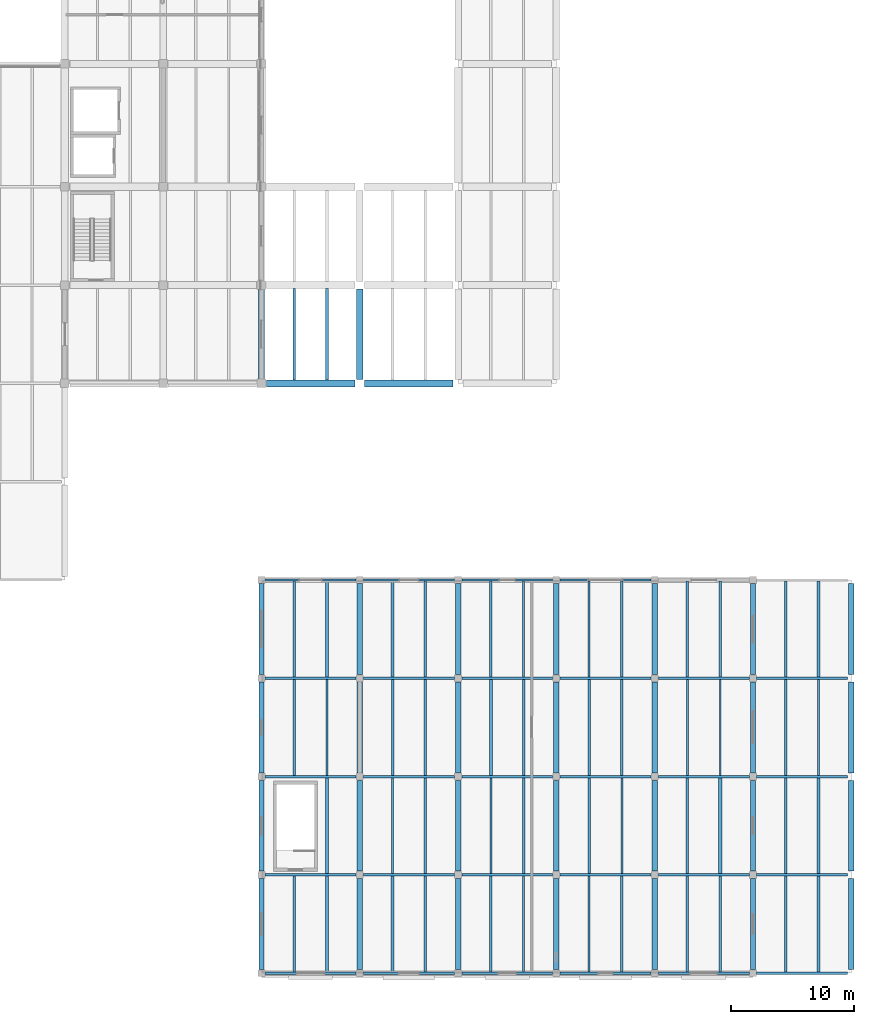
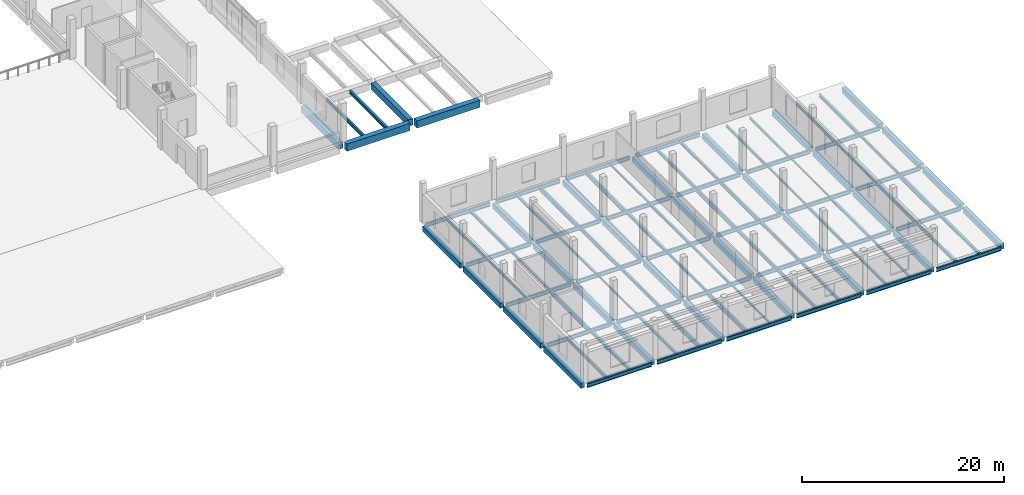
# One storey, part 18 of 52: 109 beams.
"""IFC4 building model written with IfcOpenShell, lengths in metres."""

from ifc_helpers import new_model, si_unit, direction, frame, origin, origin_2d, place, context, subcontext, project, spatial, rectangle, i_section, extrude, material, material_profile, profile_set, type_object, element, save


model = new_model("IFC4")

# Units and contexts
model_context = context("Model", 3, precision=1e-05, world=origin(), true_north=direction((0.0, 1.0)))
body_context = subcontext(model_context, "Body", "Model", "MODEL_VIEW")
ifc_project = project(units=[si_unit("LENGTHUNIT", "METRE"), si_unit("AREAUNIT", "SQUARE_METRE"), si_unit("VOLUMEUNIT", "CUBIC_METRE"), si_unit("PLANEANGLEUNIT", "RADIAN"), si_unit("MASSUNIT", "GRAM", prefix="KILO")], contexts=[model_context])

# Site, building, storey
site_placement = place(None, origin())
site = spatial("IfcSite", under=ifc_project, at=site_placement, CompositionType="ELEMENT")
building_placement = place(site_placement, origin())
building = spatial("IfcBuilding", under=site, at=building_placement, Name="Pecanmere Concourse Central Library", CompositionType="ELEMENT")
storey_placement = place(building_placement, frame((0.0, 0.0, 10.5)))
storey = spatial("IfcBuildingStorey", under=building, at=storey_placement, Name="L03", CompositionType="ELEMENT", Elevation=10.5)

# Beams
ifc_material_1 = material(Name="Concrete C40/50", Category="concrete")
ifc_material_profile_1 = material_profile(ifc_material_1, rectangle(XDim=0.43994140625, YDim=0.6201171875, at=origin_2d()), Name="RC 440x620")
ifc_profile_set_1 = profile_set([ifc_material_profile_1], Name="Concrete C40/50")
beam_type_1 = type_object("IfcBeamType", Name="GRD_440x620", PredefinedType="USERDEFINED", material=ifc_profile_set_1)
for number, where, z_axis, x_axis, name in (
    (1, (128.0, 0.300048828125, -0.64990234375), (0.0, 1.0, 0.0), (-1.0, 0.0, 0.0), "Primary Girder Y L03-1782"),
    (2, (128.0, 8.300048828125, -0.64990234375), (0.0, 1.0, 0.0), (-1.0, 0.0, 0.0), "Primary Girder Y L03-1783"),
    (3, (128.0, 16.300048828125, -0.64990234375), (0.0, 1.0, 0.0), (-1.0, 0.0, 0.0), "Primary Girder Y L03-1784"),
    (4, (128.0, 24.300048828125, -0.64990234375), (0.0, 1.0, 0.0), (-1.0, 0.0, 0.0), "Primary Girder Y L03-1785"),
    (5, (136.0, 0.300048828125, -0.64990234375), (0.0, 1.0, 0.0), (-1.0, 0.0, 0.0), "Primary Girder Y L03-1793"),
    (6, (136.0, 8.300048828125, -0.64990234375), (0.0, 1.0, 0.0), (-1.0, 0.0, 0.0), "Primary Girder Y L03-1794"),
    (7, (136.0, 16.300048828125, -0.64990234375), (0.0, 1.0, 0.0), (-1.0, 0.0, 0.0), "Primary Girder Y L03-1795"),
    (8, (136.0, 24.300048828125, -0.64990234375), (0.0, 1.0, 0.0), (-1.0, 0.0, 0.0), "Primary Girder Y L03-1796"),
    (9, (144.0, 0.300048828125, -0.64990234375), (0.0, 1.0, 0.0), (-1.0, 0.0, 0.0), "Primary Girder Y L03-1801"),
    (10, (144.0, 8.300048828125, -0.64990234375), (0.0, 1.0, 0.0), (-1.0, 0.0, 0.0), "Primary Girder Y L03-1802"),
    (11, (144.0, 16.300048828125, -0.64990234375), (0.0, 1.0, 0.0), (-1.0, 0.0, 0.0), "Primary Girder Y L03-1803"),
    (12, (144.0, 24.300048828125, -0.64990234375), (0.0, 1.0, 0.0), (-1.0, 0.0, 0.0), "Primary Girder Y L03-1804"),
    (13, (152.0, 0.300048828125, -0.64990234375), (0.0, 1.0, 0.0), (-1.0, 0.0, 0.0), "Primary Girder Y L03-1812"),
    (14, (152.0, 8.300048828125, -0.64990234375), (0.0, 1.0, 0.0), (-1.0, 0.0, 0.0), "Primary Girder Y L03-1813"),
    (15, (152.0, 16.300048828125, -0.64990234375), (0.0, 1.0, 0.0), (-1.0, 0.0, 0.0), "Primary Girder Y L03-1814"),
    (16, (152.0, 24.300048828125, -0.64990234375), (0.0, 1.0, 0.0), (-1.0, 0.0, 0.0), "Primary Girder Y L03-1815"),
    (17, (160.0, 0.300048828125, -0.64990234375), (0.0, 1.0, 0.0), (-1.0, 0.0, 0.0), "Primary Girder Y L03-1823"),
    (18, (160.0, 8.300048828125, -0.64990234375), (0.0, 1.0, 0.0), (-1.0, 0.0, 0.0), "Primary Girder Y L03-1824"),
    (19, (160.0, 16.300048828125, -0.64990234375), (0.0, 1.0, 0.0), (-1.0, 0.0, 0.0), "Primary Girder Y L03-1825"),
    (20, (160.0, 24.300048828125, -0.64990234375), (0.0, 1.0, 0.0), (-1.0, 0.0, 0.0), "Primary Girder Y L03-1826"),
    (21, (168.0, 0.300048828125, -0.64990234375), (0.0, 1.0, 0.0), (-1.0, 0.0, 0.0), "Primary Girder Y L03-1827"),
    (22, (168.0, 8.300048828125, -0.64990234375), (0.0, 1.0, 0.0), (-1.0, 0.0, 0.0), "Primary Girder Y L03-1828"),
    (23, (168.0, 16.300048828125, -0.64990234375), (0.0, 1.0, 0.0), (-1.0, 0.0, 0.0), "Primary Girder Y L03-1829"),
    (24, (168.0, 24.300048828125, -0.64990234375), (0.0, 1.0, 0.0), (-1.0, 0.0, 0.0), "Primary Girder Y L03-1830"),
    (25, (176.0, 0.300048828125, -0.64990234375), (0.0, 1.0, 0.0), (-1.0, 0.0, 0.0), "Primary Girder Y L03-1831"),
    (26, (176.0, 8.300048828125, -0.64990234375), (0.0, 1.0, 0.0), (-1.0, 0.0, 0.0), "Primary Girder Y L03-1832"),
    (27, (176.0, 16.300048828125, -0.64990234375), (0.0, 1.0, 0.0), (-1.0, 0.0, 0.0), "Primary Girder Y L03-1833"),
    (28, (176.0, 24.300048828125, -0.64990234375), (0.0, 1.0, 0.0), (-1.0, 0.0, 0.0), "Primary Girder Y L03-1834"),
):
    element("IfcBeam", number, at=place(storey_placement, frame(where, z_axis=z_axis, x_axis=x_axis)), inside=storey, type_object=beam_type_1, Name=name, ObjectType="GIRDER", PredefinedType="USERDEFINED", context=body_context, shape_type="SweptSolid", body=[
        extrude(rectangle(XDim=0.43994140625, YDim=0.6201171875, at=origin_2d()), origin(), (0.0, 0.0, 1.0), 7.39990234375),
    ])
ifc_material_2 = material(Name="Concrete C40/50", Category="concrete")
ifc_material_profile_2 = material_profile(ifc_material_2, rectangle(XDim=0.52001953125, YDim=0.77001953125, at=origin_2d()), Name="RC 520x770")
ifc_profile_set_2 = profile_set([ifc_material_profile_2], Name="Concrete C40/50")
beam_type_2 = type_object("IfcBeamType", Name="GRD_520x770", PredefinedType="USERDEFINED", material=ifc_profile_set_2)
for number, where, z_axis, x_axis, name in (
    (29, (128.0, 48.300048828125, -0.72509765625), (0.0, 1.0, 0.0), (-1.0, 0.0, 0.0), "Primary Girder Y L03-1786"),
    (30, (136.0, 48.300048828125, -0.72509765625), (0.0, 1.0, 0.0), (-1.0, 0.0, 0.0), "Primary Girder Y L03-1797"),
):
    element("IfcBeam", number, at=place(storey_placement, frame(where, z_axis=z_axis, x_axis=x_axis)), inside=storey, type_object=beam_type_2, Name=name, ObjectType="GIRDER", PredefinedType="USERDEFINED", context=body_context, shape_type="SweptSolid", body=[
        extrude(rectangle(XDim=0.52001953125, YDim=0.77001953125, at=origin_2d()), origin(), (0.0, 0.0, 1.0), 7.39990234375),
    ])
ifc_material_3 = material(Name="Concrete C40/50", Category="concrete")
ifc_material_profile_3 = material_profile(ifc_material_3, rectangle(XDim=0.580078125, YDim=0.860107421875, at=origin_2d()), Name="RC 580x860")
ifc_profile_set_3 = profile_set([ifc_material_profile_3], Name="Concrete C40/50")
beam_type_3 = type_object("IfcBeamType", Name="GRD_580x860", PredefinedType="USERDEFINED", material=ifc_profile_set_3)
for number, where, z_axis, x_axis, name in (
    (31, (128.39990234375, 48.0, -0.77001953125), (1.0, 0.0, 0.0), (0.0, 1.0, 0.0), "Primary Girder X L03-1553"),
    (32, (136.39990234375, 48.0, -0.77001953125), (1.0, 0.0, 0.0), (0.0, 1.0, 0.0), "Primary Girder X L03-1554"),
):
    element("IfcBeam", number, at=place(storey_placement, frame(where, z_axis=z_axis, x_axis=x_axis)), inside=storey, type_object=beam_type_3, Name=name, ObjectType="GIRDER", PredefinedType="USERDEFINED", context=body_context, shape_type="SweptSolid", body=[
        extrude(rectangle(XDim=0.580078125, YDim=0.860107421875, at=origin_2d()), origin(), (0.0, 0.0, 1.0), 7.2001953125),
    ])
ifc_material_4 = material(Name="Structural steel ASTM A992 Grade 50", Category="steel")
ifc_material_profile_4 = material_profile(ifc_material_4, i_section(OverallWidth=0.152099609375, OverallDepth=0.152099609375, WebThickness=0.005859375, FlangeThickness=0.006591796875, at=origin_2d()), Name="W150x22.5")
ifc_profile_set_4 = profile_set([ifc_material_profile_4], Name="Structural steel ASTM A992 Grade 50")
beam_type_4 = type_object("IfcBeamType", Name="SBM_W150x22", PredefinedType="LINTEL", material=ifc_profile_set_4)
for number, where, z_axis, x_axis, name in (
    (33, (138.666748046875, 8.096923828125, -0.416015625), (0.0, 1.0, 0.0), (-1.0, 0.0, 0.0), "Secondary Floor Joist L03-2047"),
    (34, (165.333251953125, 16.096923828125, -0.416015625), (0.0, 1.0, 0.0), (-1.0, 0.0, 0.0), "Secondary Floor Joist L03-2096"),
):
    element("IfcBeam", number, at=place(storey_placement, frame(where, z_axis=z_axis, x_axis=x_axis)), inside=storey, type_object=beam_type_4, Name=name, PredefinedType="LINTEL", context=body_context, shape_type="SweptSolid", body=[
        extrude(i_section(OverallWidth=0.152099609375, OverallDepth=0.152099609375, WebThickness=0.005859375, FlangeThickness=0.006591796875, at=origin_2d()), origin(), (0.0, 0.0, 1.0), 7.80615234375),
    ])
ifc_material_5 = material(Name="Structural steel ASTM A992 Grade 50", Category="steel")
ifc_material_profile_5 = material_profile(ifc_material_5, i_section(OverallWidth=0.1650390625, OverallDepth=0.200927734375, WebThickness=0.006103515625, FlangeThickness=0.01025390625, at=origin_2d()), Name="W200x35.9")
ifc_profile_set_5 = profile_set([ifc_material_profile_5], Name="Structural steel ASTM A992 Grade 50")
beam_type_5 = type_object("IfcBeamType", Name="SBM_W200x36", PredefinedType="LINTEL", material=ifc_profile_set_5)
for number, where, z_axis, x_axis, name in (
    (35, (149.333251953125, 0.096923828125, -0.4404296875), (0.0, 1.0, 0.0), (-1.0, 0.0, 0.0), "Secondary Floor Joist L03-2062"),
    (36, (149.333251953125, 24.096923828125, -0.4404296875), (0.0, 1.0, 0.0), (-1.0, 0.0, 0.0), "Secondary Floor Joist L03-2068"),
    (37, (162.666748046875, 16.096923828125, -0.4404296875), (0.0, 1.0, 0.0), (-1.0, 0.0, 0.0), "Secondary Floor Joist L03-2095"),
):
    element("IfcBeam", number, at=place(storey_placement, frame(where, z_axis=z_axis, x_axis=x_axis)), inside=storey, type_object=beam_type_5, Name=name, PredefinedType="LINTEL", context=body_context, shape_type="SweptSolid", body=[
        extrude(i_section(OverallWidth=0.1650390625, OverallDepth=0.200927734375, WebThickness=0.006103515625, FlangeThickness=0.01025390625, at=origin_2d()), origin(), (0.0, 0.0, 1.0), 7.80615234375),
    ])
ifc_material_6 = material(Name="Structural steel ASTM A992 Grade 50", Category="steel")
ifc_material_profile_6 = material_profile(ifc_material_6, i_section(OverallWidth=0.2041015625, OverallDepth=0.2060546875, WebThickness=0.0078125, FlangeThickness=0.0126953125, at=origin_2d()), Name="W200x52")
ifc_profile_set_6 = profile_set([ifc_material_profile_6], Name="Structural steel ASTM A992 Grade 50")
beam_type_6 = type_object("IfcBeamType", Name="SBM_W200x52", PredefinedType="JOIST", material=ifc_profile_set_6)
for number, where, z_axis, x_axis, name in (
    (38, (138.666748046875, 16.096923828125, -0.443115234375), (0.0, 1.0, 0.0), (-1.0, 0.0, 0.0), "Secondary Floor Joist L03-2049"),
    (39, (165.333251953125, 0.096923828125, -0.443115234375), (0.0, 1.0, 0.0), (-1.0, 0.0, 0.0), "Secondary Floor Joist L03-2092"),
    (40, (165.333251953125, 24.096923828125, -0.443115234375), (0.0, 1.0, 0.0), (-1.0, 0.0, 0.0), "Secondary Floor Joist L03-2098"),
):
    element("IfcBeam", number, at=place(storey_placement, frame(where, z_axis=z_axis, x_axis=x_axis)), inside=storey, type_object=beam_type_6, Name=name, PredefinedType="JOIST", context=body_context, shape_type="SweptSolid", body=[
        extrude(i_section(OverallWidth=0.2041015625, OverallDepth=0.2060546875, WebThickness=0.0078125, FlangeThickness=0.0126953125, at=origin_2d()), origin(), (0.0, 0.0, 1.0), 7.80615234375),
    ])
ifc_material_7 = material(Name="Structural steel ASTM A992 Grade 50", Category="steel")
ifc_material_profile_7 = material_profile(ifc_material_7, i_section(OverallWidth=0.201904296875, OverallDepth=0.2470703125, WebThickness=0.00732421875, FlangeThickness=0.010986328125, at=origin_2d()), Name="W250x49.1")
ifc_profile_set_7 = profile_set([ifc_material_profile_7], Name="Structural steel ASTM A992 Grade 50")
beam_type_7 = type_object("IfcBeamType", Name="SBM_W250x49", PredefinedType="JOIST", material=ifc_profile_set_7)
for number, where, z_axis, x_axis, name in (
    (41, (149.333251953125, 8.096923828125, -0.46337890625), (0.0, 1.0, 0.0), (-1.0, 0.0, 0.0), "Secondary Floor Joist L03-2064"),
    (42, (162.666748046875, 0.096923828125, -0.46337890625), (0.0, 1.0, 0.0), (-1.0, 0.0, 0.0), "Secondary Floor Joist L03-2091"),
    (43, (162.666748046875, 24.096923828125, -0.46337890625), (0.0, 1.0, 0.0), (-1.0, 0.0, 0.0), "Secondary Floor Joist L03-2097"),
):
    element("IfcBeam", number, at=place(storey_placement, frame(where, z_axis=z_axis, x_axis=x_axis)), inside=storey, type_object=beam_type_7, Name=name, PredefinedType="JOIST", context=body_context, shape_type="SweptSolid", body=[
        extrude(i_section(OverallWidth=0.201904296875, OverallDepth=0.2470703125, WebThickness=0.00732421875, FlangeThickness=0.010986328125, at=origin_2d()), origin(), (0.0, 0.0, 1.0), 7.80615234375),
    ])
ifc_material_8 = material(Name="Structural steel ASTM A992 Grade 50", Category="steel")
ifc_material_profile_8 = material_profile(ifc_material_8, i_section(OverallWidth=0.25390625, OverallDepth=0.2529296875, WebThickness=0.008544921875, FlangeThickness=0.01416015625, at=origin_2d()), Name="W250x73")
ifc_profile_set_8 = profile_set([ifc_material_profile_8], Name="Structural steel ASTM A992 Grade 50")
beam_type_8 = type_object("IfcBeamType", Name="SBM_W250x73", PredefinedType="BEAM", material=ifc_profile_set_8)
for number, where, z_axis, x_axis, name in (
    (44, (138.666748046875, 0.096923828125, -0.466552734375), (0.0, 1.0, 0.0), (-1.0, 0.0, 0.0), "Secondary Floor Joist L03-2045"),
    (45, (138.666748046875, 24.096923828125, -0.466552734375), (0.0, 1.0, 0.0), (-1.0, 0.0, 0.0), "Secondary Floor Joist L03-2051"),
    (46, (165.333251953125, 8.096923828125, -0.466552734375), (0.0, 1.0, 0.0), (-1.0, 0.0, 0.0), "Secondary Floor Joist L03-2094"),
):
    element("IfcBeam", number, at=place(storey_placement, frame(where, z_axis=z_axis, x_axis=x_axis)), inside=storey, type_object=beam_type_8, Name=name, PredefinedType="BEAM", context=body_context, shape_type="SweptSolid", body=[
        extrude(i_section(OverallWidth=0.25390625, OverallDepth=0.2529296875, WebThickness=0.008544921875, FlangeThickness=0.01416015625, at=origin_2d()), origin(), (0.0, 0.0, 1.0), 7.80615234375),
    ])
ifc_material_9 = material(Name="Structural steel ASTM A992 Grade 50", Category="steel")
ifc_material_profile_9 = material_profile(ifc_material_9, i_section(OverallWidth=0.1669921875, OverallDepth=0.31689453125, WebThickness=0.007568359375, FlangeThickness=0.01318359375, at=origin_2d()), Name="W310x52")
ifc_profile_set_9 = profile_set([ifc_material_profile_9], Name="Structural steel ASTM A992 Grade 50")
beam_type_9 = type_object("IfcBeamType", Name="SBM_W310x52", PredefinedType="JOIST", material=ifc_profile_set_9)
for number, where, z_axis, x_axis, name in (
    (47, (133.333251953125, 16.096923828125, -0.49853515625), (0.0, 1.0, 0.0), (-1.0, 0.0, 0.0), "Secondary Floor Joist L03-2034"),
    (48, (146.666748046875, 8.096923828125, -0.49853515625), (0.0, 1.0, 0.0), (-1.0, 0.0, 0.0), "Secondary Floor Joist L03-2063"),
    (49, (173.333251953125, 16.096923828125, -0.49853515625), (0.0, 1.0, 0.0), (-1.0, 0.0, 0.0), "Secondary Floor Joist L03-2104"),
):
    element("IfcBeam", number, at=place(storey_placement, frame(where, z_axis=z_axis, x_axis=x_axis)), inside=storey, type_object=beam_type_9, Name=name, PredefinedType="JOIST", context=body_context, shape_type="SweptSolid", body=[
        extrude(i_section(OverallWidth=0.1669921875, OverallDepth=0.31689453125, WebThickness=0.007568359375, FlangeThickness=0.01318359375, at=origin_2d()), origin(), (0.0, 0.0, 1.0), 7.80615234375),
    ])
ifc_material_10 = material(Name="Structural steel ASTM A992 Grade 50", Category="steel")
ifc_material_profile_10 = material_profile(ifc_material_10, i_section(OverallWidth=0.205078125, OverallDepth=0.31005859375, WebThickness=0.009521484375, FlangeThickness=0.016357421875, at=origin_2d()), Name="W310x74")
ifc_profile_set_10 = profile_set([ifc_material_profile_10], Name="Structural steel ASTM A992 Grade 50")
beam_type_10 = type_object("IfcBeamType", Name="SBM_W310x74", PredefinedType="BEAM", material=ifc_profile_set_10)
for number, where, z_axis, x_axis, name in (
    (50, (149.333251953125, 16.096923828125, -0.4951171875), (0.0, 1.0, 0.0), (-1.0, 0.0, 0.0), "Secondary Floor Joist L03-2066"),
    (51, (162.666748046875, 8.096923828125, -0.4951171875), (0.0, 1.0, 0.0), (-1.0, 0.0, 0.0), "Secondary Floor Joist L03-2093"),
):
    element("IfcBeam", number, at=place(storey_placement, frame(where, z_axis=z_axis, x_axis=x_axis)), inside=storey, type_object=beam_type_10, Name=name, PredefinedType="BEAM", context=body_context, shape_type="SweptSolid", body=[
        extrude(i_section(OverallWidth=0.205078125, OverallDepth=0.31005859375, WebThickness=0.009521484375, FlangeThickness=0.016357421875, at=origin_2d()), origin(), (0.0, 0.0, 1.0), 7.80615234375),
    ])
ifc_material_11 = material(Name="Structural steel ASTM A992 Grade 50", Category="steel")
ifc_material_profile_11 = material_profile(ifc_material_11, i_section(OverallWidth=0.202880859375, OverallDepth=0.346923828125, WebThickness=0.0078125, FlangeThickness=0.013427734375, at=origin_2d()), Name="W360x64")
ifc_profile_set_11 = profile_set([ifc_material_profile_11], Name="Structural steel ASTM A992 Grade 50")
beam_type_11 = type_object("IfcBeamType", Name="SBM_W360x64", PredefinedType="JOIST", material=ifc_profile_set_11)
for number, where, z_axis, x_axis, name in (
    (52, (130.666748046875, 16.096923828125, -0.513427734375), (0.0, 1.0, 0.0), (-1.0, 0.0, 0.0), "Secondary Floor Joist L03-2033"),
    (53, (157.333251953125, 0.096923828125, -0.513427734375), (0.0, 1.0, 0.0), (-1.0, 0.0, 0.0), "Secondary Floor Joist L03-2084"),
    (54, (157.333251953125, 24.096923828125, -0.513427734375), (0.0, 1.0, 0.0), (-1.0, 0.0, 0.0), "Secondary Floor Joist L03-2090"),
    (55, (170.666748046875, 16.096923828125, -0.513427734375), (0.0, 1.0, 0.0), (-1.0, 0.0, 0.0), "Secondary Floor Joist L03-2103"),
):
    element("IfcBeam", number, at=place(storey_placement, frame(where, z_axis=z_axis, x_axis=x_axis)), inside=storey, type_object=beam_type_11, Name=name, PredefinedType="JOIST", context=body_context, shape_type="SweptSolid", body=[
        extrude(i_section(OverallWidth=0.202880859375, OverallDepth=0.346923828125, WebThickness=0.0078125, FlangeThickness=0.013427734375, at=origin_2d()), origin(), (0.0, 0.0, 1.0), 7.80615234375),
    ])
ifc_material_12 = material(Name="Structural steel ASTM A992 Grade 50", Category="steel")
ifc_material_profile_12 = material_profile(ifc_material_12, i_section(OverallWidth=0.25390625, OverallDepth=0.35302734375, WebThickness=0.009521484375, FlangeThickness=0.016357421875, at=origin_2d()), Name="W360x91")
ifc_profile_set_12 = profile_set([ifc_material_profile_12], Name="Structural steel ASTM A992 Grade 50")
beam_type_12 = type_object("IfcBeamType", Name="SBM_W360x91", PredefinedType="BEAM", material=ifc_profile_set_12)
for number, where, z_axis, x_axis, name in (
    (56, (133.333251953125, 0.096923828125, -0.5166015625), (0.0, 1.0, 0.0), (-1.0, 0.0, 0.0), "Secondary Floor Joist L03-2031"),
    (57, (133.333251953125, 24.096923828125, -0.5166015625), (0.0, 1.0, 0.0), (-1.0, 0.0, 0.0), "Secondary Floor Joist L03-2036"),
):
    element("IfcBeam", number, at=place(storey_placement, frame(where, z_axis=z_axis, x_axis=x_axis)), inside=storey, type_object=beam_type_12, Name=name, PredefinedType="BEAM", context=body_context, shape_type="SweptSolid", body=[
        extrude(i_section(OverallWidth=0.25390625, OverallDepth=0.35302734375, WebThickness=0.009521484375, FlangeThickness=0.016357421875, at=origin_2d()), origin(), (0.0, 0.0, 1.0), 7.80615234375),
    ])
beam_1_placement = place(storey_placement, frame((133.333251953125, 48.2900390625, -0.5166015625), z_axis=(0.0, 1.0, 0.0), x_axis=(-1.0, 0.0, 0.0)))
element("IfcBeam", 58, at=beam_1_placement, inside=storey, type_object=beam_type_12, Name="Secondary Floor Joist L03-2038", PredefinedType="BEAM", context=body_context, shape_type="SweptSolid", body=[
    extrude(i_section(OverallWidth=0.25390625, OverallDepth=0.35302734375, WebThickness=0.009521484375, FlangeThickness=0.016357421875, at=origin_2d()), origin(), (0.0, 0.0, 1.0), 7.419921875),
])
for number, where, z_axis, x_axis, name in (
    (59, (146.666748046875, 16.096923828125, -0.5166015625), (0.0, 1.0, 0.0), (-1.0, 0.0, 0.0), "Secondary Floor Joist L03-2065"),
    (60, (173.333251953125, 0.096923828125, -0.5166015625), (0.0, 1.0, 0.0), (-1.0, 0.0, 0.0), "Secondary Floor Joist L03-2100"),
    (61, (173.333251953125, 24.096923828125, -0.5166015625), (0.0, 1.0, 0.0), (-1.0, 0.0, 0.0), "Secondary Floor Joist L03-2106"),
):
    element("IfcBeam", number, at=place(storey_placement, frame(where, z_axis=z_axis, x_axis=x_axis)), inside=storey, type_object=beam_type_12, Name=name, PredefinedType="BEAM", context=body_context, shape_type="SweptSolid", body=[
        extrude(i_section(OverallWidth=0.25390625, OverallDepth=0.35302734375, WebThickness=0.009521484375, FlangeThickness=0.016357421875, at=origin_2d()), origin(), (0.0, 0.0, 1.0), 7.80615234375),
    ])
ifc_material_13 = material(Name="Structural steel ASTM A992 Grade 50", Category="steel")
ifc_material_profile_13 = material_profile(ifc_material_13, i_section(OverallWidth=0.177978515625, OverallDepth=0.406982421875, WebThickness=0.0078125, FlangeThickness=0.0126953125, at=origin_2d()), Name="W410x60")
ifc_profile_set_13 = profile_set([ifc_material_profile_13], Name="Structural steel ASTM A992 Grade 50")
beam_type_13 = type_object("IfcBeamType", Name="SBM_W410x60", PredefinedType="JOIST", material=ifc_profile_set_13)
for number, where, z_axis, x_axis, name in (
    (62, (141.333251953125, 8.096923828125, -0.54345703125), (0.0, 1.0, 0.0), (-1.0, 0.0, 0.0), "Secondary Floor Joist L03-2048"),
    (63, (154.666748046875, 0.096923828125, -0.54345703125), (0.0, 1.0, 0.0), (-1.0, 0.0, 0.0), "Secondary Floor Joist L03-2083"),
    (64, (154.666748046875, 24.096923828125, -0.54345703125), (0.0, 1.0, 0.0), (-1.0, 0.0, 0.0), "Secondary Floor Joist L03-2089"),
):
    element("IfcBeam", number, at=place(storey_placement, frame(where, z_axis=z_axis, x_axis=x_axis)), inside=storey, type_object=beam_type_13, Name=name, PredefinedType="JOIST", context=body_context, shape_type="SweptSolid", body=[
        extrude(i_section(OverallWidth=0.177978515625, OverallDepth=0.406982421875, WebThickness=0.0078125, FlangeThickness=0.0126953125, at=origin_2d()), origin(), (0.0, 0.0, 1.0), 7.80615234375),
    ])
ifc_material_14 = material(Name="Structural steel ASTM A992 Grade 50", Category="steel")
ifc_material_profile_14 = material_profile(ifc_material_14, i_section(OverallWidth=0.180908203125, OverallDepth=0.4169921875, WebThickness=0.010986328125, FlangeThickness=0.018310546875, at=origin_2d()), Name="W410x85")
ifc_profile_set_14 = profile_set([ifc_material_profile_14], Name="Structural steel ASTM A992 Grade 50")
beam_type_14 = type_object("IfcBeamType", Name="SBM_W410x85", PredefinedType="BEAM", material=ifc_profile_set_14)
for number, where, z_axis, x_axis, name in (
    (65, (130.666748046875, 0.096923828125, -0.548583984375), (0.0, 1.0, 0.0), (-1.0, 0.0, 0.0), "Secondary Floor Joist L03-2030"),
    (66, (130.666748046875, 24.096923828125, -0.548583984375), (0.0, 1.0, 0.0), (-1.0, 0.0, 0.0), "Secondary Floor Joist L03-2035"),
):
    element("IfcBeam", number, at=place(storey_placement, frame(where, z_axis=z_axis, x_axis=x_axis)), inside=storey, type_object=beam_type_14, Name=name, PredefinedType="BEAM", context=body_context, shape_type="SweptSolid", body=[
        extrude(i_section(OverallWidth=0.180908203125, OverallDepth=0.4169921875, WebThickness=0.010986328125, FlangeThickness=0.018310546875, at=origin_2d()), origin(), (0.0, 0.0, 1.0), 7.80615234375),
    ])
beam_2_placement = place(storey_placement, frame((130.666748046875, 48.2900390625, -0.548583984375), z_axis=(0.0, 1.0, 0.0), x_axis=(-1.0, 0.0, 0.0)))
element("IfcBeam", 67, at=beam_2_placement, inside=storey, type_object=beam_type_14, Name="Secondary Floor Joist L03-2037", PredefinedType="BEAM", context=body_context, shape_type="SweptSolid", body=[
    extrude(i_section(OverallWidth=0.180908203125, OverallDepth=0.4169921875, WebThickness=0.010986328125, FlangeThickness=0.018310546875, at=origin_2d()), origin(), (0.0, 0.0, 1.0), 7.419921875),
])
for number, where, z_axis, x_axis, name in (
    (68, (157.333251953125, 8.096923828125, -0.548583984375), (0.0, 1.0, 0.0), (-1.0, 0.0, 0.0), "Secondary Floor Joist L03-2086"),
    (69, (170.666748046875, 0.096923828125, -0.548583984375), (0.0, 1.0, 0.0), (-1.0, 0.0, 0.0), "Secondary Floor Joist L03-2099"),
    (70, (170.666748046875, 24.096923828125, -0.548583984375), (0.0, 1.0, 0.0), (-1.0, 0.0, 0.0), "Secondary Floor Joist L03-2105"),
):
    element("IfcBeam", number, at=place(storey_placement, frame(where, z_axis=z_axis, x_axis=x_axis)), inside=storey, type_object=beam_type_14, Name=name, PredefinedType="BEAM", context=body_context, shape_type="SweptSolid", body=[
        extrude(i_section(OverallWidth=0.180908203125, OverallDepth=0.4169921875, WebThickness=0.010986328125, FlangeThickness=0.018310546875, at=origin_2d()), origin(), (0.0, 0.0, 1.0), 7.80615234375),
    ])
ifc_material_15 = material(Name="Structural steel ASTM A992 Grade 50", Category="steel")
ifc_material_profile_15 = material_profile(ifc_material_15, i_section(OverallWidth=0.194091796875, OverallDepth=0.468994140625, WebThickness=0.0126953125, FlangeThickness=0.0205078125, at=origin_2d()), Name="W460x106")
ifc_profile_set_15 = profile_set([ifc_material_profile_15], Name="Structural steel ASTM A992 Grade 50")
beam_type_15 = type_object("IfcBeamType", Name="SBM_W460x106", PredefinedType="USERDEFINED", material=ifc_profile_set_15)
for number, where, z_axis, x_axis, name in (
    (71, (128.300048828125, 0.0, -0.574462890625), (1.0, 0.0, 0.0), (0.0, 1.0, 0.0), "Primary Girder X L03-1478"),
    (72, (136.300048828125, 0.0, -0.574462890625), (1.0, 0.0, 0.0), (0.0, 1.0, 0.0), "Primary Girder X L03-1479"),
    (73, (144.300048828125, 0.0, -0.574462890625), (1.0, 0.0, 0.0), (0.0, 1.0, 0.0), "Primary Girder X L03-1480"),
    (74, (152.300048828125, 0.0, -0.574462890625), (1.0, 0.0, 0.0), (0.0, 1.0, 0.0), "Primary Girder X L03-1481"),
    (75, (160.300048828125, 0.0, -0.574462890625), (1.0, 0.0, 0.0), (0.0, 1.0, 0.0), "Primary Girder X L03-1482"),
    (76, (168.300048828125, 0.0, -0.574462890625), (1.0, 0.0, 0.0), (0.0, 1.0, 0.0), "Primary Girder X L03-1483"),
    (77, (128.300048828125, 8.0, -0.574462890625), (1.0, 0.0, 0.0), (0.0, 1.0, 0.0), "Primary Girder X L03-1490"),
    (78, (136.300048828125, 8.0, -0.574462890625), (1.0, 0.0, 0.0), (0.0, 1.0, 0.0), "Primary Girder X L03-1491"),
    (79, (144.300048828125, 8.0, -0.574462890625), (1.0, 0.0, 0.0), (0.0, 1.0, 0.0), "Primary Girder X L03-1492"),
    (80, (152.300048828125, 8.0, -0.574462890625), (1.0, 0.0, 0.0), (0.0, 1.0, 0.0), "Primary Girder X L03-1493"),
    (81, (160.300048828125, 8.0, -0.574462890625), (1.0, 0.0, 0.0), (0.0, 1.0, 0.0), "Primary Girder X L03-1494"),
    (82, (168.300048828125, 8.0, -0.574462890625), (1.0, 0.0, 0.0), (0.0, 1.0, 0.0), "Primary Girder X L03-1495"),
    (83, (128.300048828125, 16.0, -0.574462890625), (1.0, 0.0, 0.0), (0.0, 1.0, 0.0), "Primary Girder X L03-1499"),
    (84, (136.300048828125, 16.0, -0.574462890625), (1.0, 0.0, 0.0), (0.0, 1.0, 0.0), "Primary Girder X L03-1500"),
    (85, (144.300048828125, 16.0, -0.574462890625), (1.0, 0.0, 0.0), (0.0, 1.0, 0.0), "Primary Girder X L03-1501"),
    (86, (152.300048828125, 16.0, -0.574462890625), (1.0, 0.0, 0.0), (0.0, 1.0, 0.0), "Primary Girder X L03-1502"),
    (87, (160.300048828125, 16.0, -0.574462890625), (1.0, 0.0, 0.0), (0.0, 1.0, 0.0), "Primary Girder X L03-1503"),
    (88, (168.300048828125, 16.0, -0.574462890625), (1.0, 0.0, 0.0), (0.0, 1.0, 0.0), "Primary Girder X L03-1504"),
    (89, (128.300048828125, 24.0, -0.574462890625), (1.0, 0.0, 0.0), (0.0, 1.0, 0.0), "Primary Girder X L03-1511"),
    (90, (136.300048828125, 24.0, -0.574462890625), (1.0, 0.0, 0.0), (0.0, 1.0, 0.0), "Primary Girder X L03-1512"),
    (91, (144.300048828125, 24.0, -0.574462890625), (1.0, 0.0, 0.0), (0.0, 1.0, 0.0), "Primary Girder X L03-1513"),
    (92, (152.300048828125, 24.0, -0.574462890625), (1.0, 0.0, 0.0), (0.0, 1.0, 0.0), "Primary Girder X L03-1514"),
    (93, (160.300048828125, 24.0, -0.574462890625), (1.0, 0.0, 0.0), (0.0, 1.0, 0.0), "Primary Girder X L03-1515"),
    (94, (168.300048828125, 24.0, -0.574462890625), (1.0, 0.0, 0.0), (0.0, 1.0, 0.0), "Primary Girder X L03-1516"),
    (95, (128.300048828125, 32.0, -0.574462890625), (1.0, 0.0, 0.0), (0.0, 1.0, 0.0), "Primary Girder X L03-1529"),
    (96, (136.300048828125, 32.0, -0.574462890625), (1.0, 0.0, 0.0), (0.0, 1.0, 0.0), "Primary Girder X L03-1530"),
    (97, (144.300048828125, 32.0, -0.574462890625), (1.0, 0.0, 0.0), (0.0, 1.0, 0.0), "Primary Girder X L03-1531"),
    (98, (152.300048828125, 32.0, -0.574462890625), (1.0, 0.0, 0.0), (0.0, 1.0, 0.0), "Primary Girder X L03-1532"),
):
    element("IfcBeam", number, at=place(storey_placement, frame(where, z_axis=z_axis, x_axis=x_axis)), inside=storey, type_object=beam_type_15, Name=name, ObjectType="GIRDER", PredefinedType="USERDEFINED", context=body_context, shape_type="SweptSolid", body=[
        extrude(i_section(OverallWidth=0.194091796875, OverallDepth=0.468994140625, WebThickness=0.0126953125, FlangeThickness=0.0205078125, at=origin_2d()), origin(), (0.0, 0.0, 1.0), 7.39990234375),
    ])
for number, where, z_axis, x_axis, name in (
    (99, (157.333251953125, 16.096923828125, -0.574462890625), (0.0, 1.0, 0.0), (-1.0, 0.0, 0.0), "Secondary Floor Joist L03-2088"),
    (100, (170.666748046875, 8.096923828125, -0.574462890625), (0.0, 1.0, 0.0), (-1.0, 0.0, 0.0), "Secondary Floor Joist L03-2101"),
):
    element("IfcBeam", number, at=place(storey_placement, frame(where, z_axis=z_axis, x_axis=x_axis)), inside=storey, type_object=beam_type_15, Name=name, ObjectType="GIRDER", PredefinedType="USERDEFINED", context=body_context, shape_type="SweptSolid", body=[
        extrude(i_section(OverallWidth=0.194091796875, OverallDepth=0.468994140625, WebThickness=0.0126953125, FlangeThickness=0.0205078125, at=origin_2d()), origin(), (0.0, 0.0, 1.0), 7.80615234375),
    ])
ifc_material_16 = material(Name="Structural steel ASTM A992 Grade 50", Category="steel")
ifc_material_profile_16 = material_profile(ifc_material_16, i_section(OverallWidth=0.18994140625, OverallDepth=0.45703125, WebThickness=0.009033203125, FlangeThickness=0.014404296875, at=origin_2d()), Name="W460x74")
ifc_profile_set_16 = profile_set([ifc_material_profile_16], Name="Structural steel ASTM A992 Grade 50")
beam_type_16 = type_object("IfcBeamType", Name="SBM_W460x74", PredefinedType="BEAM", material=ifc_profile_set_16)
for number, where, z_axis, x_axis, name in (
    (101, (141.333251953125, 16.096923828125, -0.568603515625), (0.0, 1.0, 0.0), (-1.0, 0.0, 0.0), "Secondary Floor Joist L03-2050"),
    (102, (154.666748046875, 8.096923828125, -0.568603515625), (0.0, 1.0, 0.0), (-1.0, 0.0, 0.0), "Secondary Floor Joist L03-2085"),
):
    element("IfcBeam", number, at=place(storey_placement, frame(where, z_axis=z_axis, x_axis=x_axis)), inside=storey, type_object=beam_type_16, Name=name, PredefinedType="BEAM", context=body_context, shape_type="SweptSolid", body=[
        extrude(i_section(OverallWidth=0.18994140625, OverallDepth=0.45703125, WebThickness=0.009033203125, FlangeThickness=0.014404296875, at=origin_2d()), origin(), (0.0, 0.0, 1.0), 7.80615234375),
    ])
ifc_material_17 = material(Name="Structural steel ASTM A992 Grade 50", Category="steel")
ifc_material_profile_17 = material_profile(ifc_material_17, i_section(OverallWidth=0.2109375, OverallDepth=0.5390625, WebThickness=0.01171875, FlangeThickness=0.018798828125, at=origin_2d()), Name="W530x109")
ifc_profile_set_17 = profile_set([ifc_material_profile_17], Name="Structural steel ASTM A992 Grade 50")
beam_type_17 = type_object("IfcBeamType", Name="SBM_W530x109", PredefinedType="USERDEFINED", material=ifc_profile_set_17)
for number, where, z_axis, x_axis, name in (
    (103, (133.333251953125, 8.096923828125, -0.609619140625), (0.0, 1.0, 0.0), (-1.0, 0.0, 0.0), "Secondary Floor Joist L03-2032"),
    (104, (146.666748046875, 0.096923828125, -0.609619140625), (0.0, 1.0, 0.0), (-1.0, 0.0, 0.0), "Secondary Floor Joist L03-2061"),
    (105, (146.666748046875, 24.096923828125, -0.609619140625), (0.0, 1.0, 0.0), (-1.0, 0.0, 0.0), "Secondary Floor Joist L03-2067"),
    (106, (173.333251953125, 8.096923828125, -0.609619140625), (0.0, 1.0, 0.0), (-1.0, 0.0, 0.0), "Secondary Floor Joist L03-2102"),
):
    element("IfcBeam", number, at=place(storey_placement, frame(where, z_axis=z_axis, x_axis=x_axis)), inside=storey, type_object=beam_type_17, Name=name, ObjectType="GIRDER", PredefinedType="USERDEFINED", context=body_context, shape_type="SweptSolid", body=[
        extrude(i_section(OverallWidth=0.2109375, OverallDepth=0.5390625, WebThickness=0.01171875, FlangeThickness=0.018798828125, at=origin_2d()), origin(), (0.0, 0.0, 1.0), 7.80615234375),
    ])
ifc_material_18 = material(Name="Structural steel ASTM A992 Grade 50", Category="steel")
ifc_material_profile_18 = material_profile(ifc_material_18, i_section(OverallWidth=0.208984375, OverallDepth=0.532958984375, WebThickness=0.01025390625, FlangeThickness=0.015625, at=origin_2d()), Name="W530x92")
ifc_profile_set_18 = profile_set([ifc_material_profile_18], Name="Structural steel ASTM A992 Grade 50")
beam_type_18 = type_object("IfcBeamType", Name="SBM_W530x92", PredefinedType="BEAM", material=ifc_profile_set_18)
for number, where, z_axis, x_axis, name in (
    (107, (141.333251953125, 0.096923828125, -0.6064453125), (0.0, 1.0, 0.0), (-1.0, 0.0, 0.0), "Secondary Floor Joist L03-2046"),
    (108, (141.333251953125, 24.096923828125, -0.6064453125), (0.0, 1.0, 0.0), (-1.0, 0.0, 0.0), "Secondary Floor Joist L03-2052"),
    (109, (154.666748046875, 16.096923828125, -0.6064453125), (0.0, 1.0, 0.0), (-1.0, 0.0, 0.0), "Secondary Floor Joist L03-2087"),
):
    element("IfcBeam", number, at=place(storey_placement, frame(where, z_axis=z_axis, x_axis=x_axis)), inside=storey, type_object=beam_type_18, Name=name, PredefinedType="BEAM", context=body_context, shape_type="SweptSolid", body=[
        extrude(i_section(OverallWidth=0.208984375, OverallDepth=0.532958984375, WebThickness=0.01025390625, FlangeThickness=0.015625, at=origin_2d()), origin(), (0.0, 0.0, 1.0), 7.80615234375),
    ])

save(model, "model.ifc")
